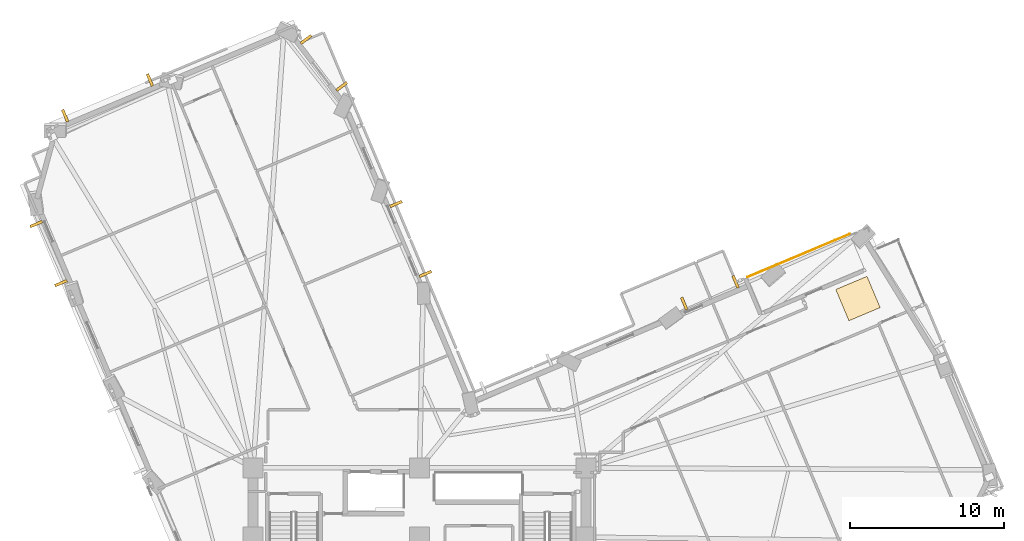
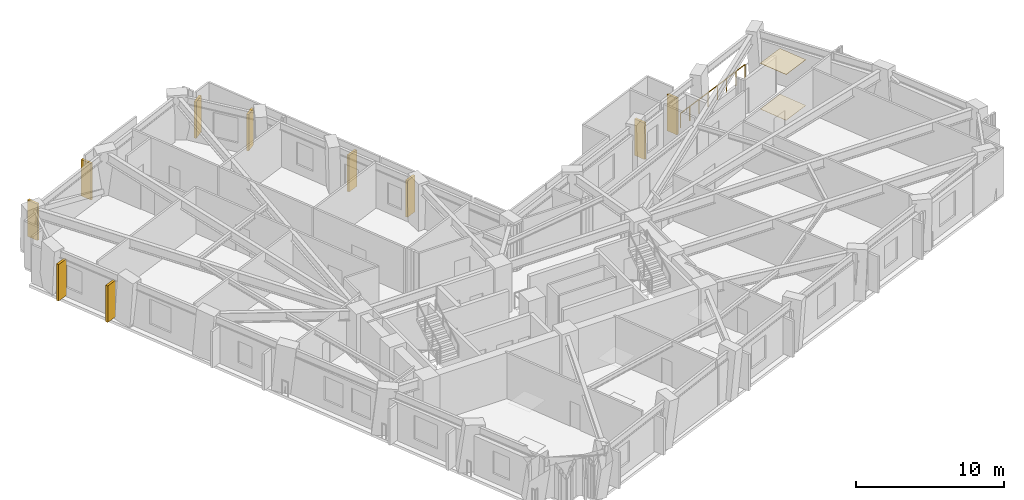
# One storey, part 17 of 18: 10 shading devices, 2 coverings, 1 railing.
"""IFC4 building model written with IfcOpenShell, lengths in metres."""

from ifc_helpers import new_model, si_unit, direction, frame, origin, origin_2d, place, context, subcontext, project, spatial, rectangle, circle, extrude, material, layer, layer_set, type_object, element, save


model = new_model("IFC4")

# Units and contexts
model_context = context("Model", 3, precision=1e-05, world=origin(), true_north=direction((0.0, 1.0)))
body_context = subcontext(model_context, "Body", "Model", "MODEL_VIEW")
ifc_project = project(units=[si_unit("LENGTHUNIT", "METRE"), si_unit("AREAUNIT", "SQUARE_METRE"), si_unit("VOLUMEUNIT", "CUBIC_METRE"), si_unit("PLANEANGLEUNIT", "RADIAN"), si_unit("MASSUNIT", "GRAM", prefix="KILO")], contexts=[model_context])

# Site, building, storey
site_placement = place(None, origin())
site = spatial("IfcSite", under=ifc_project, at=site_placement, CompositionType="ELEMENT")
building_placement = place(site_placement, origin())
building = spatial("IfcBuilding", under=site, at=building_placement, Name="Gaonmaruhae Medical Tower", CompositionType="ELEMENT")
storey_placement = place(building_placement, frame((0.0, 0.0, 120.39990234375)))
storey = spatial("IfcBuildingStorey", under=building, at=storey_placement, Name="L28", CompositionType="ELEMENT", Elevation=120.39990234375)

# Coverings
ifc_material_1 = material(Name="Acoustic mineral ceiling tile", Category="finish")
ifc_layer_1 = layer(ifc_material_1, 0.02490234375)
ifc_layer_set_1 = layer_set([ifc_layer_1], Name="Acoustic mineral ceiling tile")
covering_type_1 = type_object("IfcCoveringType", Name="CLG-01 Antimicrobial Acoustic Mineral Ceiling", PredefinedType="CEILING", material=ifc_layer_set_1)
covering_1_placement = place(storey_placement, frame((53.252197265625, 27.786376953125, 3.755126953125), z_axis=(0.0, 0.0, 1.0), x_axis=(0.921863151589, 0.387515586452, 0.0)))
element("IfcCovering", 1, at=covering_1_placement, inside=storey, type_object=covering_type_1, Name="L28 Clinical Corridor Acoustic Ceiling", PredefinedType="CEILING", context=body_context, shape_type="SweptSolid", body=[
    extrude(rectangle(XDim=2.199951171875, YDim=2.199951171875, at=origin_2d()), origin(), (0.0, 0.0, 1.0), 0.02490234375),
])
ifc_material_2 = material(Name="Seamless clinical vinyl flooring", Category="finish")
ifc_layer_2 = layer(ifc_material_2, 0.014892578125)
ifc_layer_set_2 = layer_set([ifc_layer_2], Name="Seamless clinical vinyl flooring")
covering_type_2 = type_object("IfcCoveringType", Name="FLR-01 Seamless Clinical Antistatic Vinyl Flooring", PredefinedType="FLOORING", material=ifc_layer_set_2)
covering_2_placement = place(storey_placement, frame((53.252197265625, 27.786376953125, 0.00048828125), z_axis=(0.0, 0.0, 1.0), x_axis=(0.921863151589, 0.387515586452, 0.0)))
element("IfcCovering", 2, at=covering_2_placement, inside=storey, type_object=covering_type_2, Name="L28 Clinical Corridor Vinyl Flooring", PredefinedType="FLOORING", context=body_context, shape_type="SweptSolid", body=[
    extrude(rectangle(XDim=2.199951171875, YDim=2.199951171875, at=origin_2d()), origin(), (0.0, 0.0, 1.0), 0.014892578125),
])

# Railing
ifc_material_3 = material(Name="Stainless steel 316L and laminated safety glass", Category="steel")
ifc_layer_3 = layer(ifc_material_3, 0.080078125)
ifc_layer_set_3 = layer_set([ifc_layer_3], Name="Stainless steel 316L and laminated safety glass")
railing_type = type_object("IfcRailingType", Name="GD-120 Outdoor Terrace Safety Glass & Steel Balustrade", PredefinedType="BALUSTRADE", material=ifc_layer_set_3)
railing_placement = place(storey_placement, frame((52.7216796875, 31.97021484375, 0.0)))
element("IfcRailing", 3, at=railing_placement, inside=storey, type_object=railing_type, Name="L28 Terrace Safety Guard RL-SLB-L28-TER-03", PredefinedType="BALUSTRADE", context=body_context, shape_type="SweptSolid", body=[
    extrude(circle(Radius=0.02392578125, at=origin_2d()), frame((0.0, 0.0, 1.17578125), z_axis=(-0.921860521115, -0.387521844042, 0.0), x_axis=(0.387521844042, -0.921860521115, 0.0)), (0.0, 0.0, 1.0), 7.200439453125),
    extrude(circle(Radius=0.02099609375, at=origin_2d()), origin(), (0.0, 0.0, 1.0), 1.15185546875),
    extrude(circle(Radius=0.02099609375, at=origin_2d()), frame((-0.9482421875, -0.398681640625, 0.0)), (0.0, 0.0, 1.0), 1.15185546875),
    extrude(circle(Radius=0.02099609375, at=origin_2d()), frame((-1.896484375, -0.797119140625, 0.0)), (0.0, 0.0, 1.0), 1.15185546875),
    extrude(circle(Radius=0.02099609375, at=origin_2d()), frame((-2.8447265625, -1.19580078125, 0.0)), (0.0, 0.0, 1.0), 1.15185546875),
    extrude(circle(Radius=0.02099609375, at=origin_2d()), frame((-3.79296875, -1.594482421875, 0.0)), (0.0, 0.0, 1.0), 1.15185546875),
    extrude(circle(Radius=0.02099609375, at=origin_2d()), frame((-4.7412109375, -1.9931640625, 0.0)), (0.0, 0.0, 1.0), 1.15185546875),
    extrude(circle(Radius=0.02099609375, at=origin_2d()), frame((-5.689453125, -2.3916015625, 0.0)), (0.0, 0.0, 1.0), 1.15185546875),
    extrude(circle(Radius=0.02099609375, at=origin_2d()), frame((-6.6376953125, -2.790283203125, 0.0)), (0.0, 0.0, 1.0), 1.15185546875),
])

# Shading devices
ifc_material_4 = material(Name="Pigmented coral precast concrete C45/55", Category="concrete")
shading_device_type = type_object("IfcShadingDeviceType", Name="SD-FIN1 Tower Vertical Coral Precast Shading Fin", PredefinedType="USERDEFINED", material=ifc_material_4)
for number, where, z_axis, x_axis, name in (
    (4, (41.97314453125, 27.46826171875, 0.072509765625), (0.0, 0.0, 1.0), (0.921863151589, 0.387515586452, 0.0), "L28 Vertical Coral Precast Shading Fin EN01"),
    (5, (45.31298828125, 28.872314453125, 0.072509765625), (0.0, 0.0, 1.0), (0.921863151589, 0.387515586452, 0.0), "L28 Vertical Coral Precast Shading Fin EN01B"),
    (6, (23.27294921875, 33.92236328125, 0.08251953125), (0.0, 0.0, 1.0), (0.387515586452, -0.921863151589, 0.0), "L28 Vertical Coral Precast Shading Fin NE01"),
    (7, (25.1806640625, 29.38427734375, 0.08251953125), (0.0, 0.0, 1.0), (0.387515586452, -0.921863151589, 0.0), "L28 Vertical Coral Precast Shading Fin NE01B"),
    (8, (17.436767578125, 44.600341796875, 0.08251953125), (0.0, 0.0, 1.0), (0.604334942301, -0.796730366884, 0.0), "L28 Vertical Coral Precast Shading Fin NE03"),
    (9, (19.75048828125, 41.5498046875, 0.08251953125), (0.0, 0.0, 1.0), (0.604334942301, -0.796730366884, 0.0), "L28 Vertical Coral Precast Shading Fin NE03B"),
    (10, (1.802490234375, 39.653564453125, 0.08251953125), (0.0, 0.0, 1.0), (0.921863151589, 0.387515586452, 0.0), "L28 Vertical Coral Precast Shading Fin N02"),
    (11, (7.305908203125, 41.967041015625, 0.08251953125), (0.0, 0.0, 1.0), (0.921863151589, 0.387515586452, 0.0), "L28 Vertical Coral Precast Shading Fin N02B"),
    (12, (1.5341796875, 28.78759765625, 0.08251953125), (0.0, 0.0, 1.0), (-0.387515586452, 0.921863151589, 0.0), "L28 Vertical Coral Precast Shading Fin W01"),
    (13, (-0.076171875, 32.618408203125, 0.08251953125), (0.0, 0.0, 1.0), (-0.387515586452, 0.921863151589, 0.0), "L28 Vertical Coral Precast Shading Fin W01B"),
):
    element("IfcShadingDevice", number, at=place(storey_placement, frame(where, z_axis=z_axis, x_axis=x_axis)), inside=storey, type_object=shading_device_type, Name=name, ObjectType="FIN", PredefinedType="USERDEFINED", context=body_context, shape_type="SweptSolid", body=[
        extrude(rectangle(XDim=0.179931640625, YDim=0.85009765625, at=origin_2d()), origin(), (0.0, 0.0, 1.0), 3.0),
    ])

save(model, "model.ifc")
